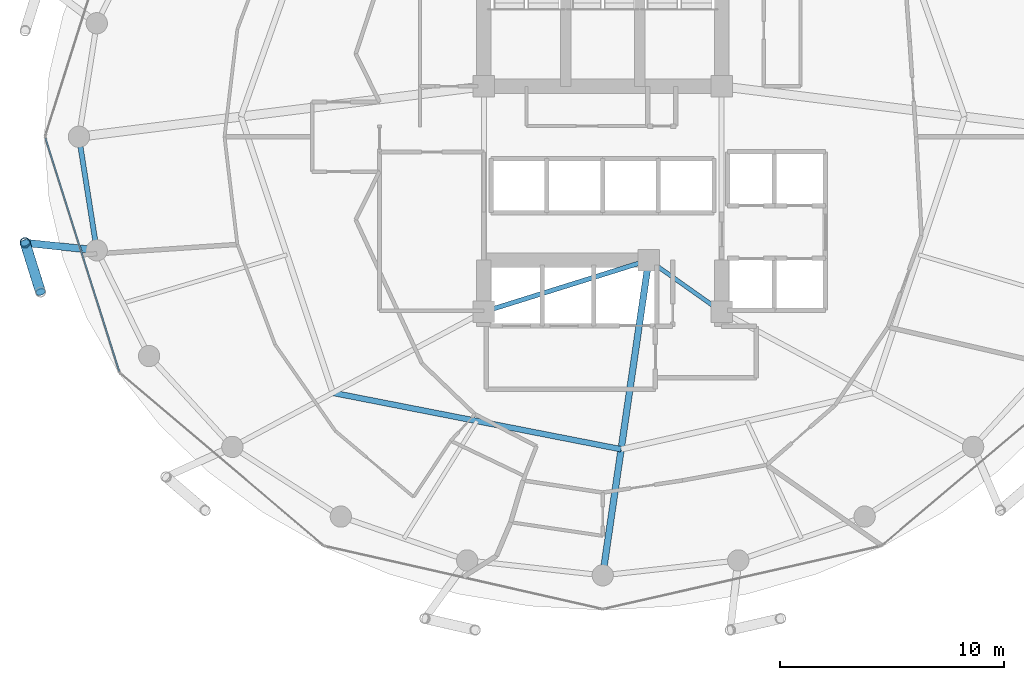
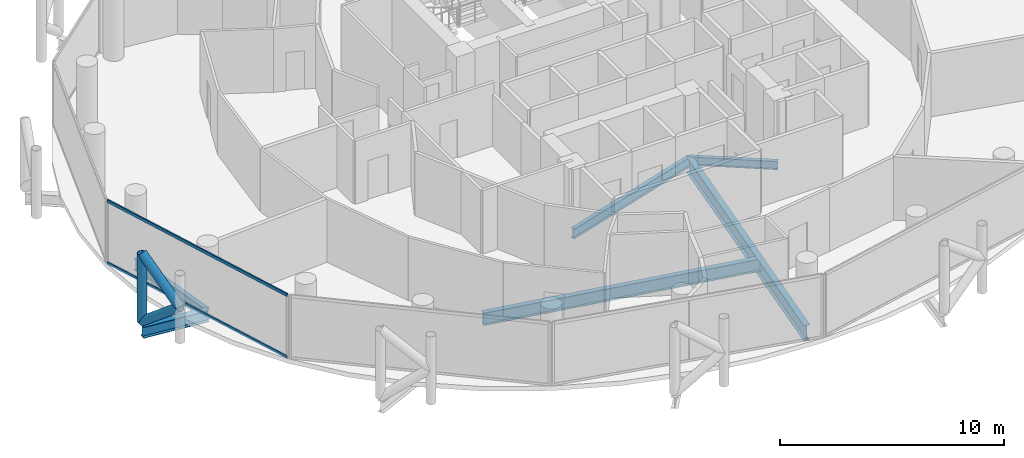
# One storey, part 5 of 26: 6 beams, 5 members, 1 element without a shape of its own.
"""IFC4 building model written with IfcOpenShell, lengths in metres."""

from ifc_helpers import new_model, si_unit, direction, frame, origin, origin_2d, place, context, subcontext, project, spatial, hollow_rectangle, hollow_circle, i_section, extrude, material, layer, layer_set, material_profile, profile_set, type_object, element, aggregate, save


model = new_model("IFC4")

# Units and contexts
model_context = context("Model", 3, precision=1e-05, world=origin(), true_north=direction((0.0, 1.0)))
body_context = subcontext(model_context, "Body", "Model", "MODEL_VIEW")
ifc_project = project(units=[si_unit("LENGTHUNIT", "METRE"), si_unit("AREAUNIT", "SQUARE_METRE"), si_unit("VOLUMEUNIT", "CUBIC_METRE"), si_unit("PLANEANGLEUNIT", "RADIAN"), si_unit("MASSUNIT", "GRAM", prefix="KILO")], contexts=[model_context])

# Site, building, storey
site_placement = place(None, origin())
site = spatial("IfcSite", under=ifc_project, at=site_placement, CompositionType="ELEMENT")
building_placement = place(site_placement, origin())
building = spatial("IfcBuilding", under=site, at=building_placement, Name="Nuhasar Tower", CompositionType="ELEMENT")
storey_placement = place(building_placement, frame((0.0, 0.0, 151.550048828125)))
storey = spatial("IfcBuildingStorey", under=building, at=storey_placement, Name="L36", CompositionType="ELEMENT", Elevation=151.550048828125)

# Beams
ifc_material_1 = material(Name="Steel S355", Category="steel")
ifc_material_profile_1 = material_profile(ifc_material_1, i_section(OverallWidth=0.25390625, OverallDepth=0.68408203125, WebThickness=0.012451171875, FlangeThickness=0.018798828125, at=origin_2d()), Name="W27X94")
ifc_profile_set_1 = profile_set([ifc_material_profile_1], Name="Steel S355")
beam_type_1 = type_object("IfcBeamType", Name="BM-INRING-W27X94", PredefinedType="BEAM", material=ifc_profile_set_1)
beam_1_placement = place(storey_placement, frame((26.972900390625, 15.385986328125, -0.592041015625), z_axis=(0.981359637088, -0.192180286956, 0.0), x_axis=(0.192180286956, 0.981359637088, 0.0)))
element("IfcBeam", 1, at=beam_1_placement, inside=storey, type_object=beam_type_1, Name="L36 Inner Header Beam 01", PredefinedType="BEAM", context=body_context, shape_type="SweptSolid", body=[
    extrude(i_section(OverallWidth=0.25390625, OverallDepth=0.68408203125, WebThickness=0.012451171875, FlangeThickness=0.018798828125, at=origin_2d()), origin(), (0.0, 0.0, 1.0), 13.09130859375),
])
ifc_material_profile_2 = material_profile(ifc_material_1, i_section(OverallWidth=0.2919921875, OverallDepth=0.85888671875, WebThickness=0.01708984375, FlangeThickness=0.031005859375, at=origin_2d()), Name="W33X169")
ifc_profile_set_2 = profile_set([ifc_material_profile_2], Name="Steel S355")
beam_type_2 = type_object("IfcBeamType", Name="BM-POD-W33X169", PredefinedType="BEAM", material=ifc_profile_set_2)
beam_2_placement = place(storey_placement, frame((41.050048828125, 21.300048828125, -0.678955078125), z_axis=(-0.144381604017, -0.989522082837, 0.0), x_axis=(0.989522082837, -0.144381604017, 0.0)))
element("IfcBeam", 2, at=beam_2_placement, inside=storey, type_object=beam_type_2, Name="L36 Radial Floor Girder 02", PredefinedType="BEAM", context=body_context, shape_type="SweptSolid", body=[
    extrude(i_section(OverallWidth=0.2919921875, OverallDepth=0.85888671875, WebThickness=0.01708984375, FlangeThickness=0.031005859375, at=origin_2d()), origin(), (0.0, 0.0, 1.0), 14.19873046875),
])
ifc_material_profile_3 = material_profile(ifc_material_1, i_section(OverallWidth=0.18994140625, OverallDepth=0.45703125, WebThickness=0.009033203125, FlangeThickness=0.014404296875, at=origin_2d()), Name="W18X50")
ifc_profile_set_3 = profile_set([ifc_material_profile_3], Name="Steel S355")
beam_type_3 = type_object("IfcBeamType", Name="BM-RAD-W18X50", PredefinedType="BEAM", material=ifc_profile_set_3)
beam_3_placement = place(storey_placement, frame((41.050048828125, 21.300048828125, -0.47802734375), z_axis=(0.816265428953, -0.577677028708, 0.0), x_axis=(0.577677028708, 0.816265428953, 0.0)))
element("IfcBeam", 3, at=beam_3_placement, inside=storey, type_object=beam_type_3, Name="L36 Core Ring Girder 2", PredefinedType="BEAM", context=body_context, shape_type="SweptSolid", body=[
    extrude(i_section(OverallWidth=0.18994140625, OverallDepth=0.45703125, WebThickness=0.009033203125, FlangeThickness=0.014404296875, at=origin_2d()), origin(), (0.0, 0.0, 1.0), 3.9814453125),
])
ifc_material_profile_4 = material_profile(ifc_material_1, i_section(OverallWidth=0.208984375, OverallDepth=0.532958984375, WebThickness=0.01025390625, FlangeThickness=0.015625, at=origin_2d()), Name="W21X62")
ifc_profile_set_4 = profile_set([ifc_material_profile_4], Name="Steel S355")
beam_type_4 = type_object("IfcBeamType", Name="BM-RAD-W21X62", PredefinedType="BEAM", material=ifc_profile_set_4)
beam_4_placement = place(storey_placement, frame((33.699951171875, 19.0, -0.51611328125), z_axis=(0.954363709454, 0.298646798205, 0.0), x_axis=(-0.298646798205, 0.954363709454, 0.0)))
element("IfcBeam", 4, at=beam_4_placement, inside=storey, type_object=beam_type_4, Name="L36 Core Ring Girder 1", PredefinedType="BEAM", context=body_context, shape_type="SweptSolid", body=[
    extrude(i_section(OverallWidth=0.208984375, OverallDepth=0.532958984375, WebThickness=0.01025390625, FlangeThickness=0.015625, at=origin_2d()), origin(), (0.0, 0.0, 1.0), 7.70166015625),
])
ifc_material_profile_5 = material_profile(ifc_material_1, i_section(OverallWidth=0.22998046875, OverallDepth=0.616943359375, WebThickness=0.01318359375, FlangeThickness=0.022216796875, at=origin_2d()), Name="W24X94")
ifc_profile_set_5 = profile_set([ifc_material_profile_5], Name="Steel S355")
beam_type_5 = type_object("IfcBeamType", Name="BM-RING-W24X94", PredefinedType="SPANDREL", material=ifc_profile_set_5)
beam_5_placement = place(storey_placement, frame((15.64990234375, 26.800048828125, -0.55810546875), z_axis=(0.155426543608, -0.987847452566, 0.0), x_axis=(0.987847452566, 0.155426543608, 0.0)))
element("IfcBeam", 5, at=beam_5_placement, inside=storey, type_object=beam_type_5, Name="L36 Perimeter Ring Spandrel 13", PredefinedType="SPANDREL", context=body_context, shape_type="SweptSolid", body=[
    extrude(i_section(OverallWidth=0.22998046875, OverallDepth=0.616943359375, WebThickness=0.01318359375, FlangeThickness=0.022216796875, at=origin_2d()), origin(), (0.0, 0.0, 1.0), 5.122314453125),
])
ifc_material_profile_6 = material_profile(ifc_material_1, i_section(OverallWidth=0.323974609375, OverallDepth=0.611083984375, WebThickness=0.0126953125, FlangeThickness=0.01904296875, at=origin_2d()), Name="W24X104")
ifc_profile_set_6 = profile_set([ifc_material_profile_6], Name="Steel S355")
beam_type_6 = type_object("IfcBeamType", Name="BM-TIE-W24X104", PredefinedType="BEAM", material=ifc_profile_set_6)
beam_6_placement = place(storey_placement, frame((16.446044921875, 21.739990234375, -0.554931640625), z_axis=(-0.994577694483, 0.103996200111, 0.0), x_axis=(-0.103996200111, -0.994577694483, 0.0)))
element("IfcBeam", 6, at=beam_6_placement, inside=storey, type_object=beam_type_6, Name="L36 Exoskeleton Node Tie Beam 07", PredefinedType="BEAM", context=body_context, shape_type="SweptSolid", body=[
    extrude(i_section(OverallWidth=0.323974609375, OverallDepth=0.611083984375, WebThickness=0.0126953125, FlangeThickness=0.01904296875, at=origin_2d()), origin(), (0.0, 0.0, 1.0), 3.21142578125),
])

# Curtain wall, members
ifc_material_2 = material(Name="Aluminium 6063-T6", Category="aluminium")
ifc_layer = layer(ifc_material_2, 0.199951171875)
ifc_layer_set = layer_set([ifc_layer], Name="Aluminium 6063-T6")
curtain_wall_type = type_object("IfcCurtainWallType", Name="CW-Z2-HTL", PredefinedType="NOTDEFINED", material=ifc_layer_set)
curtain_wall_placement = place(storey_placement, origin())
curtain_wall = element("IfcCurtainWall", 7, at=curtain_wall_placement, inside=storey, type_object=curtain_wall_type, Name="L36 Unitised Curtain Wall 07", PredefinedType="NOTDEFINED")
ifc_material_profile_7 = material_profile(ifc_material_2, hollow_rectangle(XDim=0.070068359375, YDim=0.159912109375, WallThickness=0.00439453125, at=origin_2d()), Name="CWT-3")
ifc_profile_set_7 = profile_set([ifc_material_profile_7], Name="Aluminium 6063-T6")
member_type_1 = type_object("IfcMemberType", Name="CW-TRN-S3", PredefinedType="USERDEFINED", material=ifc_profile_set_7)
member_1_placement = place(storey_placement, frame((14.1611328125, 26.733154296875, 0.034912109375), z_axis=(0.301608163352, -0.953431967053, 0.0), x_axis=(0.953431967053, 0.301608163352, 0.0)))
member_1 = element("IfcMember", 8, at=member_1_placement, type_object=member_type_1, Name="CW-Z2 transom 1.1", ObjectType="TRANSOM", PredefinedType="USERDEFINED", context=body_context, shape_type="SweptSolid", body=[
    extrude(hollow_rectangle(XDim=0.070068359375, YDim=0.159912109375, WallThickness=0.00439453125, at=origin_2d()), origin(), (0.0, 0.0, 1.0), 10.904296875),
])
member_2_placement = place(storey_placement, frame((14.1611328125, 26.733154296875, 3.4150390625), z_axis=(0.301608163352, -0.953431967053, 0.0), x_axis=(0.953431967053, 0.301608163352, 0.0)))
member_2 = element("IfcMember", 9, at=member_2_placement, type_object=member_type_1, Name="CW-Z2 transom 1.2", ObjectType="TRANSOM", PredefinedType="USERDEFINED", context=body_context, shape_type="SweptSolid", body=[
    extrude(hollow_rectangle(XDim=0.070068359375, YDim=0.159912109375, WallThickness=0.00439453125, at=origin_2d()), origin(), (0.0, 0.0, 1.0), 10.904296875),
])
aggregate(curtain_wall, [member_1, member_2])

# Members
ifc_material_3 = material(Name="Steel S460", Category="steel")
ifc_material_profile_8 = material_profile(ifc_material_3, hollow_circle(Radius=0.228515625, WallThickness=0.022216796875, at=origin_2d()), Name="HSS457X22.2")
ifc_profile_set_8 = profile_set([ifc_material_profile_8], Name="Steel S460")
member_type_2 = type_object("IfcMemberType", Name="EXO-BRONZE-457", PredefinedType="BRACE", material=ifc_profile_set_8)
member_3_placement = place(storey_placement, frame((13.251953125, 22.073974609375, 0.0), z_axis=(0.0, 0.0, 1.0), x_axis=(1.0, 0.0, 0.0)))
element("IfcMember", 10, at=member_3_placement, inside=storey, type_object=member_type_2, Name="L36 Exoskeleton Chord Column EC-07A", PredefinedType="BRACE", context=body_context, shape_type="SweptSolid", body=[
    extrude(hollow_circle(Radius=0.228515625, WallThickness=0.022216796875, at=origin_2d()), origin(), (0.0, 0.0, 1.0), 3.699951171875),
])
member_4_placement = place(storey_placement, frame((13.251953125, 22.073974609375, 0.0), z_axis=(0.233067628236, -0.74361641074, 0.626669062861), x_axis=(0.954228474306, 0.29907861646, 0.0)))
element("IfcMember", 11, at=member_4_placement, inside=storey, type_object=member_type_2, Name="L36 Bronze Diagrid Brace W1-07", PredefinedType="BRACE", context=body_context, shape_type="SweptSolid", body=[
    extrude(hollow_circle(Radius=0.228515625, WallThickness=0.022216796875, at=origin_2d()), origin(), (0.0, 0.0, 1.0), 2.951904296875),
])
member_5_placement = place(storey_placement, frame((13.93994140625, 19.87890625, 1.849853515625), z_axis=(-0.233055548538, 0.743577869731, 0.626719285599), x_axis=(-0.954228474306, -0.29907861646, 0.0)))
element("IfcMember", 12, at=member_5_placement, inside=storey, type_object=member_type_2, Name="L36 Bronze Diagrid Brace W2-07", PredefinedType="BRACE", context=body_context, shape_type="SweptSolid", body=[
    extrude(hollow_circle(Radius=0.228515625, WallThickness=0.022216796875, at=origin_2d()), origin(), (0.0, 0.0, 1.0), 2.9521484375),
])

save(model, "model.ifc")
